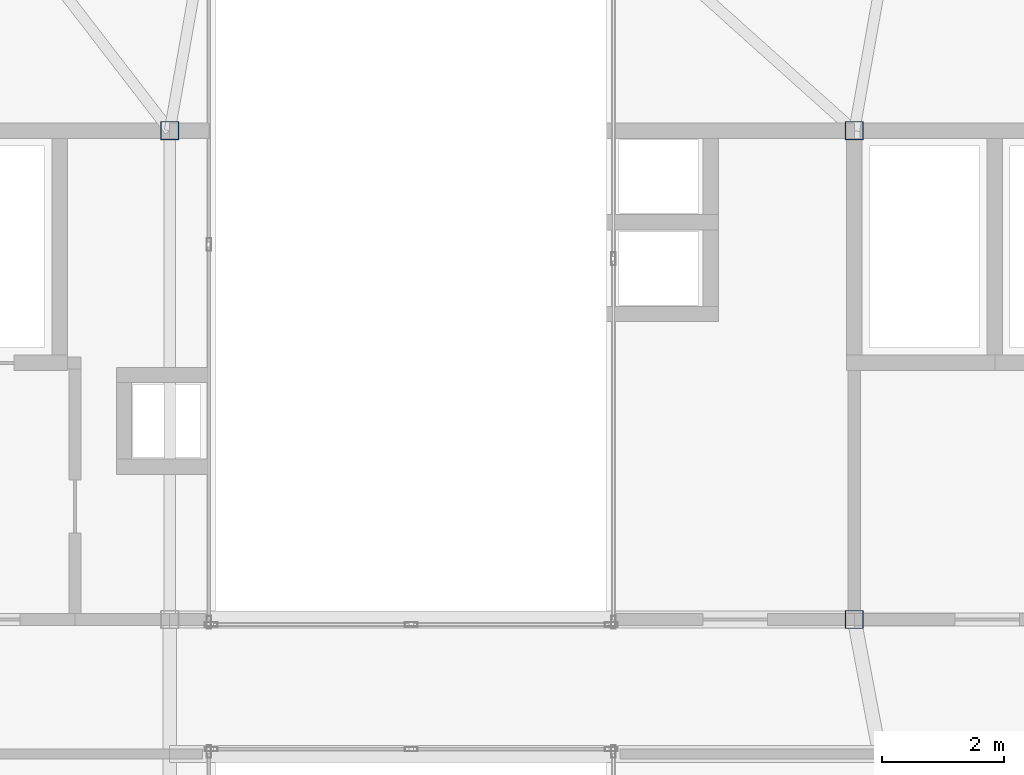
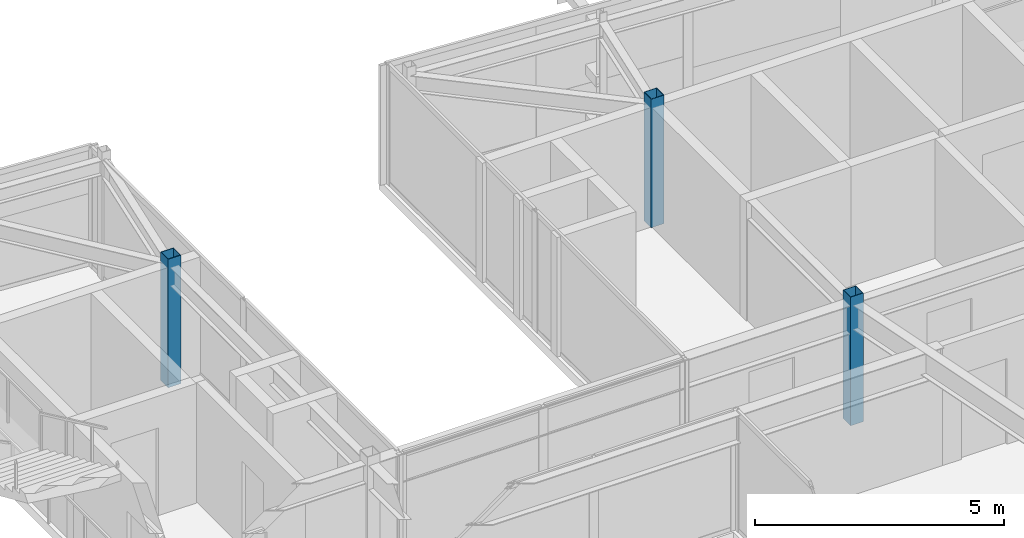
# One storey, part 4 of 39: 3 columns.
"""IFC4 building model written with IfcOpenShell, lengths in metres."""

import ifcopenshell
import ifcopenshell.guid

model = None  # the IFC model being written
_history = None  # IfcOwnerHistory: only IFC2X3 demands one
_inside = {}  # id of a spatial element -> (the spatial element, [elements in it])
_under = {}  # id of a project, library or spatial element -> (it, [spatial elements below it])
_declared = {}  # id of a project -> (the project, [libraries it declares])
_typed = {}  # id of a type object -> (the type object, [elements of that type])
_made_of = {}  # id of a material, layer set ... -> (it, [elements and type objects made of it])


def new_model(schema):
    """Start an empty IFC model of exactly this schema.

    Asked for "IFC4X3", IfcOpenShell would pick the latest addendum, in which some entities
    have other attributes; the version numbers below select the first issue.
    IFC2X3 requires an IfcOwnerHistory on every rooted entity: one is made here for all.
    """
    global model, _history
    if schema == "IFC4X3":
        model = ifcopenshell.file(schema_version=(4, 3, 0, 0))
    else:
        model = ifcopenshell.file(schema=schema)
    _inside.clear()
    _under.clear()
    _declared.clear()
    _typed.clear()
    _made_of.clear()
    _history = None
    if model.schema == "IFC2X3":
        org = make("IfcOrganization", Name="unknown")
        user = make(
            "IfcPersonAndOrganization",
            ThePerson=make("IfcPerson", FamilyName="unknown"),
            TheOrganization=org,
        )
        app = make(
            "IfcApplication",
            ApplicationDeveloper=org,
            Version="unknown",
            ApplicationFullName="unknown",
            ApplicationIdentifier="unknown",
        )
        _history = make(
            "IfcOwnerHistory",
            OwningUser=user,
            OwningApplication=app,
            ChangeAction="ADDED",
            CreationDate=0,
        )
    return model


def make(cls, **values):
    """One entity of the class cls with the attributes given. An attribute that is None is left unset."""
    return model.create_entity(
        cls, **{name: value for name, value in values.items() if value is not None}
    )


def rooted(cls, **values):
    """An entity with a GlobalId (a new one), such as an element, a storey or a relation."""
    return make(cls, GlobalId=ifcopenshell.guid.new(), OwnerHistory=_history, **values)


def si_unit(unit_type, name, prefix=None):
    """IfcSIUnit, for example si_unit("LENGTHUNIT", "METRE", prefix="MILLI")."""
    return make("IfcSIUnit", UnitType=unit_type, Prefix=prefix, Name=name)


def assignment(units):
    """IfcUnitAssignment: the units of a project."""
    return None if units is None else make("IfcUnitAssignment", Units=units)


def point(xyz):
    """IfcCartesianPoint."""
    return None if xyz is None else make("IfcCartesianPoint", Coordinates=xyz)


def direction(xyz):
    """IfcDirection."""
    return None if xyz is None else make("IfcDirection", DirectionRatios=xyz)


def frame(location, z_axis=None, x_axis=None):
    """IfcAxis2Placement3D, a coordinate frame: its origin and axes. An axis left out is left unset."""
    return make(
        "IfcAxis2Placement3D",
        Location=point(location),
        Axis=direction(z_axis),
        RefDirection=direction(x_axis),
    )


def frame_2d(location, x_axis=None):
    """IfcAxis2Placement2D, a coordinate frame in the plane: its origin and x axis."""
    return make(
        "IfcAxis2Placement2D", Location=point(location), RefDirection=direction(x_axis)
    )


def origin():
    """The frame at (0, 0, 0) with its axes left unset."""
    return frame((0.0, 0.0, 0.0))


def origin_2d():
    """The frame at (0, 0) in the plane with its x axis left unset."""
    return frame_2d((0.0, 0.0))


def place(relative_to, where):
    """IfcLocalPlacement: puts the frame where relative to a parent placement (None: the world)."""
    return make(
        "IfcLocalPlacement", PlacementRelTo=relative_to, RelativePlacement=where
    )


def context(
    kind, dimensions, precision=None, world=None, true_north=None, identifier=None
):
    """IfcGeometricRepresentationContext, for example the 3D "Model" context."""
    return make(
        "IfcGeometricRepresentationContext",
        ContextIdentifier=identifier,
        ContextType=kind,
        CoordinateSpaceDimension=dimensions,
        Precision=precision,
        WorldCoordinateSystem=world,
        TrueNorth=true_north,
    )


def subcontext(parent, identifier, kind, view, scale=None):
    """IfcGeometricRepresentationSubContext, for example "Body" below "Model"."""
    return make(
        "IfcGeometricRepresentationSubContext",
        ContextIdentifier=identifier,
        ContextType=kind,
        ParentContext=parent,
        TargetScale=scale,
        TargetView=view,
    )


def project(units=None, contexts=None):
    """IfcProject with its units and contexts."""
    return rooted(
        "IfcProject",
        Name="project",
        RepresentationContexts=contexts,
        UnitsInContext=assignment(units),
    )


def spatial(cls, under=None, at=None, **own):
    """A site, building, storey or space (cls), placed at a placement, below another one or the project."""
    s = rooted(cls, ObjectPlacement=at, **own)
    if under is not None:
        _under.setdefault(under.id(), (under, []))[1].append(s)
    return s


def profile(cls, at=None, kind="AREA", **sizes):
    """A parametric profile (cls). Its sizes go by their IFC names, for example OverallWidth=200.0."""
    return make(cls, ProfileType=kind, Position=at, **sizes)


def hollow_rectangle(**sizes):
    """IfcRectangleHollowProfileDef."""
    return profile("IfcRectangleHollowProfileDef", **sizes)


def extrude(swept, where, along, depth):
    """IfcExtrudedAreaSolid: the profile swept, set in the frame where, extruded along a direction by depth."""
    return make(
        "IfcExtrudedAreaSolid",
        SweptArea=swept,
        Position=where,
        ExtrudedDirection=direction(along),
        Depth=depth,
    )


def shape(context_of_items, identifier, shape_type, items):
    """IfcShapeRepresentation: the items that make up one representation, for example the "Body"."""
    return make(
        "IfcShapeRepresentation",
        ContextOfItems=context_of_items,
        RepresentationIdentifier=identifier,
        RepresentationType=shape_type,
        Items=items,
    )


def source(mapping_origin, context_of_items, identifier, shape_type, items):
    """IfcRepresentationMap: a shape defined once, which mapped items show again and again."""
    return make(
        "IfcRepresentationMap",
        MappingOrigin=mapping_origin,
        MappedRepresentation=shape(context_of_items, identifier, shape_type, items),
    )


def transform(
    local_origin,
    x_axis=None,
    y_axis=None,
    z_axis=None,
    scale=None,
    scale2=None,
    scale3=None,
    uniform=True,
):
    """IfcCartesianTransformationOperator3D, or its non-uniform kind. x_axis, y_axis, z_axis: its Axis1, 2, 3."""
    if uniform:
        return make(
            "IfcCartesianTransformationOperator3D",
            Axis1=direction(x_axis),
            Axis2=direction(y_axis),
            LocalOrigin=point(local_origin),
            Scale=scale,
            Axis3=direction(z_axis),
        )
    return make(
        "IfcCartesianTransformationOperator3DnonUniform",
        Axis1=direction(x_axis),
        Axis2=direction(y_axis),
        LocalOrigin=point(local_origin),
        Scale=scale,
        Axis3=direction(z_axis),
        Scale2=scale2,
        Scale3=scale3,
    )


def mapped(mapping_source, mapping_target):
    """IfcMappedItem: shows the shape of a source again, moved by a transform."""
    return make(
        "IfcMappedItem", MappingSource=mapping_source, MappingTarget=mapping_target
    )


def material(Name=None, Category=None):
    """IfcMaterial."""
    return make("IfcMaterial", Name=Name, Category=Category)


def material_profile(
    of_material, cross_section, Name=None, Category=None, Priority=None
):
    """IfcMaterialProfile: a cross section and its material."""
    return make(
        "IfcMaterialProfile",
        Name=Name,
        Material=of_material,
        Profile=cross_section,
        Priority=Priority,
        Category=Category,
    )


def profile_set(profiles, Name=None, composite=None):
    """IfcMaterialProfileSet."""
    return make(
        "IfcMaterialProfileSet",
        Name=Name,
        MaterialProfiles=profiles,
        CompositeProfile=composite,
    )


def made_of(thing, what):
    """Note that an element or type object is made of a material, layer set ...; save() writes the relation."""
    if what is not None:
        _made_of.setdefault(what.id(), (what, []))[1].append(thing)
    return thing


def type_object(cls, material=None, **own):
    """A type object (cls), such as IfcWallType, which elements share."""
    return made_of(rooted(cls, **own), material)


def element(
    cls,
    number,
    at=None,
    inside=None,
    cuts=None,
    type_object=None,
    material=None,
    context=None,
    identifier="Body",
    shape_type=None,
    held_by="IfcProductDefinitionShape",
    body=None,
    shapes=None,
    **own,
):
    """One element of the class cls, such as IfcWall. Its Tag is "e" and its number.

    at: its placement. inside: the storey or other place that contains it. cuts: it is an
    opening in that element (IfcRelVoidsElement). A single representation is given by context,
    identifier, shape_type and body (its items); several are given by shapes. held_by: the class
    of the entity that holds the representations. save() writes the other relations.
    """
    e = rooted(cls, Tag="e%d" % number, ObjectPlacement=at, **own)
    if body is not None:
        shapes = [shape(context, identifier, shape_type, body)]
    if shapes is not None:
        e.Representation = make(held_by, Representations=shapes)
    if inside is not None:
        _inside.setdefault(inside.id(), (inside, []))[1].append(e)
    if cuts is not None:
        rooted(
            "IfcRelVoidsElement", RelatingBuildingElement=cuts, RelatedOpeningElement=e
        )
    if type_object is not None:
        _typed.setdefault(type_object.id(), (type_object, []))[1].append(e)
    return made_of(e, material)


def aggregate(whole, parts):
    """IfcRelAggregates: a whole, such as a stair, and the parts it consists of."""
    return rooted("IfcRelAggregates", RelatingObject=whole, RelatedObjects=parts)


def save(model, path):
    """Write the relations noted so far, then the file.

    IfcRelAggregates (storeys below a building ...), IfcRelContainedInSpatialStructure (elements
    in a storey), IfcRelDefinesByType, IfcRelAssociatesMaterial and IfcRelDeclares: one each for
    every whole, place, type object, material and project.
    """
    for whole, parts in _under.values():
        aggregate(whole, parts)
    for where, things in _inside.values():
        rooted(
            "IfcRelContainedInSpatialStructure",
            RelatedElements=things,
            RelatingStructure=where,
        )
    for kind, things in _typed.values():
        rooted("IfcRelDefinesByType", RelatedObjects=things, RelatingType=kind)
    for what, things in _made_of.values():
        rooted("IfcRelAssociatesMaterial", RelatedObjects=things, RelatingMaterial=what)
    for by, libraries in _declared.values():
        rooted("IfcRelDeclares", RelatingContext=by, RelatedDefinitions=libraries)
    model.write(path)


model = new_model("IFC4")

# Units and contexts
model_context = context("Model", 3, precision=1e-05, world=origin(), true_north=direction((0.0, 1.0)))
body_context = subcontext(model_context, "Body", "Model", "MODEL_VIEW")
ifc_project = project(units=[si_unit("LENGTHUNIT", "METRE"), si_unit("AREAUNIT", "SQUARE_METRE"), si_unit("VOLUMEUNIT", "CUBIC_METRE"), si_unit("PLANEANGLEUNIT", "RADIAN"), si_unit("MASSUNIT", "GRAM", prefix="KILO")], contexts=[model_context])

# Site, building, storey
site_placement = place(None, origin())
site = spatial("IfcSite", under=ifc_project, at=site_placement, CompositionType="ELEMENT")
building_placement = place(site_placement, origin())
building = spatial("IfcBuilding", under=site, at=building_placement, Name="Taldren Reach Tower", CompositionType="ELEMENT")
storey_placement = place(building_placement, frame((0.0, 0.0, 230.300048828125)))
storey = spatial("IfcBuildingStorey", under=building, at=storey_placement, Name="L70", CompositionType="ELEMENT", Elevation=230.300048828125)

# Columns
ifc_material = material(Name="Steel Gr 450 (C450L0)", Category="steel")
ifc_material_profile = material_profile(ifc_material, hollow_rectangle(XDim=0.300048828125, YDim=0.300048828125, WallThickness=0.012451171875, at=origin_2d()), Name="300x300x12.5SHS")
ifc_profile_set = profile_set([ifc_material_profile], Name="Steel Gr 450 (C450L0)")
column_type = type_object("IfcColumnType", Name="COL-SHS300", PredefinedType="COLUMN", material=ifc_profile_set)
shared_shape = source(origin(), body_context, "Body", "SweptSolid", [
    extrude(hollow_rectangle(XDim=0.300048828125, YDim=0.300048828125, WallThickness=0.012451171875, at=origin_2d()), origin(), (0.0, 0.0, 1.0), 3.14990234375),
])
for number, where, z_axis, x_axis, name in (
    (1, (39.199951171875, 24.0, 0.0), (0.0, 0.0, 1.0), (1.0, 0.0, 0.0), "Mega column MC-C3 L70"),
    (2, (28.0, 32.0, 0.0), (0.0, 0.0, 1.0), (1.0, 0.0, 0.0), "Mega column MC-C6 L70"),
    (3, (39.199951171875, 32.0, 0.0), (0.0, 0.0, 1.0), (1.0, 0.0, 0.0), "Mega column MC-C7 L70"),
):
    element("IfcColumn", number, at=place(storey_placement, frame(where, z_axis=z_axis, x_axis=x_axis)), inside=storey, type_object=column_type, Name=name, PredefinedType="COLUMN", context=body_context, shape_type="MappedRepresentation", body=[
        mapped(shared_shape, transform((0.0, 0.0, 0.0), scale=1.0)),
    ])

save(model, "model.ifc")
